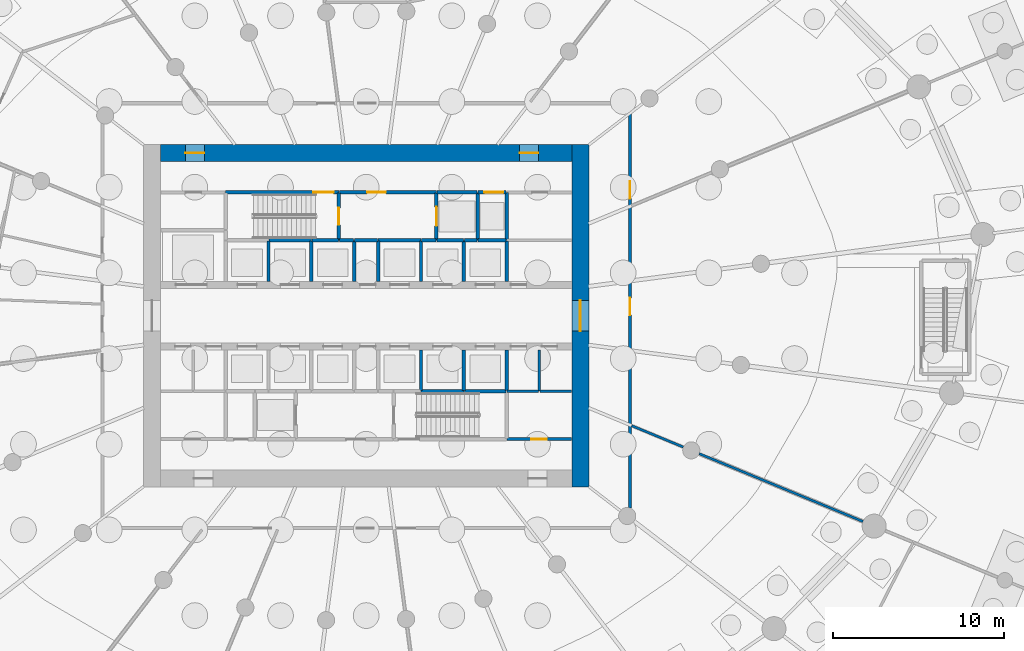
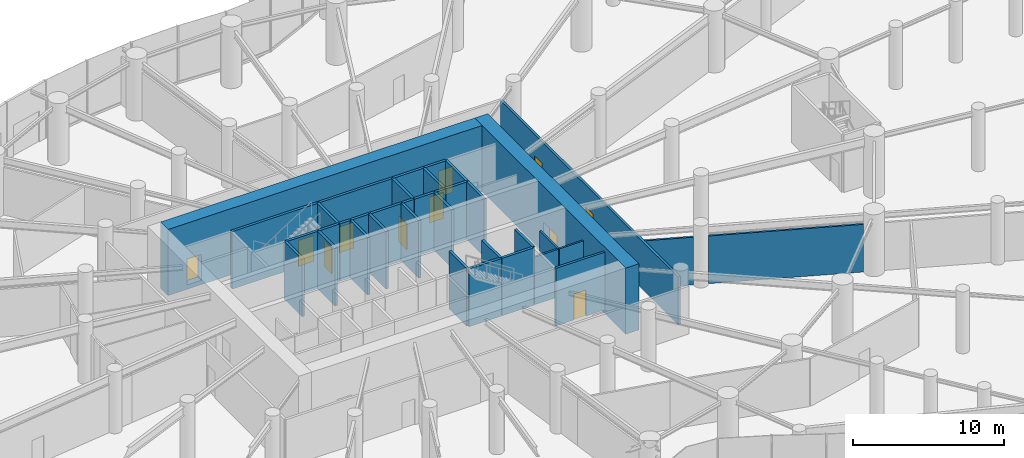
# One storey, part 20 of 28: 38 walls, 11 doors, 11 openings.
"""IFC4 building model written with IfcOpenShell, lengths in metres."""

from ifc_helpers import new_model, si_unit, direction, frame, frame_2d, origin, place, context, subcontext, project, spatial, rectangle, extrude, source, transform, mapped, material, layer, layer_set, type_object, element, fill, save


model = new_model("IFC4")

# Units and contexts
model_context = context("Model", 3, precision=1e-05, world=origin(), true_north=direction((0.0, 1.0)))
body_context = subcontext(model_context, "Body", "Model", "MODEL_VIEW")
ifc_project = project(units=[si_unit("LENGTHUNIT", "METRE"), si_unit("AREAUNIT", "SQUARE_METRE"), si_unit("VOLUMEUNIT", "CUBIC_METRE"), si_unit("PLANEANGLEUNIT", "RADIAN"), si_unit("MASSUNIT", "GRAM", prefix="KILO")], contexts=[model_context])

# Site, building, storey
site_placement = place(None, origin())
site = spatial("IfcSite", under=ifc_project, at=site_placement, CompositionType="ELEMENT")
building_placement = place(site_placement, origin())
building = spatial("IfcBuilding", under=site, at=building_placement, Name="Spindrift Exchange Tower", CompositionType="ELEMENT")
storey_placement = place(building_placement, origin())
storey = spatial("IfcBuildingStorey", under=building, at=storey_placement, Name="L00", CompositionType="ELEMENT", Elevation=0.0)

# Wall, opening, door
ifc_material_1 = material(Name="Concrete 80 MPa", Category="concrete")
ifc_layer_1 = layer(ifc_material_1, 1.0)
ifc_layer_set_1 = layer_set([ifc_layer_1], Name="RC Core Wall 1000 Concrete 80 MPa")
wall_type_1 = type_object("IfcWallType", Name="RC Core Wall 1000 Concrete 80 MPa", PredefinedType="SHEAR", material=ifc_layer_set_1)
wall_1_placement = place(storey_placement, frame((64.5, 38.0, -0.35009765625), z_axis=(0.0, 0.0, 1.0), x_axis=(0.0, 1.0, 0.0)))
wall_1 = element("IfcWall", 1, at=wall_1_placement, inside=storey, type_object=wall_type_1, Name="Core wall E L00", PredefinedType="SHEAR", context=body_context, shape_type="SweptSolid", body=[
    extrude(rectangle(XDim=20.0, YDim=1.0, at=frame_2d((10.0, 0.0))), origin(), (0.0, 0.0, 1.0), 5.35009765625),
])
opening_1_placement = place(wall_1_placement, frame((9.10009765625, 0.0, 0.35009765625)))
opening_1 = element("IfcOpeningElement", 2, at=opening_1_placement, cuts=wall_1, Name="Opening L00-D2", PredefinedType="OPENING", context=body_context, shape_type="SweptSolid", body=[
    extrude(rectangle(XDim=1.800048828125, YDim=2.10009765625, at=frame_2d((0.89990234375, 1.050048828125))), frame((0.0, 0.510009765625, 0.0), z_axis=(0.0, -1.0, 0.0), x_axis=(1.0, 0.0, 0.0)), (0.0, 0.0, 1.0), 1.02001953125),
])
ifc_material_2 = material(Name="Timber-core fire door", Category="wood")
door_type_1 = type_object("IfcDoorType", Name="DR-LOBBY-1800", OperationType="NOTDEFINED", PredefinedType="DOOR", material=ifc_material_2)
shared_shape_1 = source(origin(), body_context, "Body", "SweptSolid", [
    extrude(rectangle(XDim=1.800048828125, YDim=2.10009765625, at=frame_2d((0.89990234375, 1.050048828125))), frame((0.0, 0.02490234375, 0.0), z_axis=(0.0, -1.0, 0.0), x_axis=(1.0, 0.0, 0.0)), (0.0, 0.0, 1.0), 0.050048828125),
])
door_1_placement = place(opening_1_placement, origin())
door_1 = element("IfcDoor", 3, at=door_1_placement, inside=storey, type_object=door_type_1, Name="L00 Lobby door 2", OperationType="SINGLE_SWING_LEFT", OverallHeight=2.10009765625, OverallWidth=1.800048828125, PredefinedType="DOOR", context=body_context, shape_type="MappedRepresentation", body=[
    mapped(shared_shape_1, transform((0.0, 0.0, 0.0), scale=1.0)),
])
fill(opening_1, door_1)

# Wall, openings, doors
wall_2_placement = place(storey_placement, frame((64.0, 57.5, -0.35009765625), z_axis=(0.0, 0.0, 1.0), x_axis=(-1.0, 0.0, 0.0)))
wall_2 = element("IfcWall", 4, at=wall_2_placement, inside=storey, type_object=wall_type_1, Name="Core wall N L00", PredefinedType="SHEAR", context=body_context, shape_type="SweptSolid", body=[
    extrude(rectangle(XDim=24.0, YDim=1.0, at=frame_2d((12.0, 0.0))), origin(), (0.0, 0.0, 1.0), 5.35009765625),
])
opening_2_placement = place(wall_2_placement, frame((21.449951171875, 0.0, 0.35009765625)))
opening_2 = element("IfcOpeningElement", 5, at=opening_2_placement, cuts=wall_2, Name="Opening L00-D26", PredefinedType="OPENING", context=body_context, shape_type="SweptSolid", body=[
    extrude(rectangle(XDim=1.10009765625, YDim=2.10009765625, at=frame_2d((0.550048828125, 1.050048828125))), frame((0.0, 0.510009765625, 0.0), z_axis=(0.0, -1.0, 0.0), x_axis=(1.0, 0.0, 0.0)), (0.0, 0.0, 1.0), 1.02001953125),
])
opening_3_placement = place(wall_2_placement, frame((1.949951171875, 0.0, 0.35009765625)))
opening_3 = element("IfcOpeningElement", 6, at=opening_3_placement, cuts=wall_2, Name="Opening L00-D27", PredefinedType="OPENING", context=body_context, shape_type="SweptSolid", body=[
    extrude(rectangle(XDim=1.10009765625, YDim=2.10009765625, at=frame_2d((0.550048828125, 1.050048828125))), frame((0.0, 0.510009765625, 0.0), z_axis=(0.0, -1.0, 0.0), x_axis=(1.0, 0.0, 0.0)), (0.0, 0.0, 1.0), 1.02001953125),
])
ifc_material_3 = material(Name="Steel fire door", Category="steel")
door_type_2 = type_object("IfcDoorType", Name="DR-STAIR-1100", OperationType="NOTDEFINED", PredefinedType="DOOR", material=ifc_material_3)
shared_shape_2 = source(origin(), body_context, "Body", "SweptSolid", [
    extrude(rectangle(XDim=1.10009765625, YDim=2.10009765625, at=frame_2d((0.550048828125, 1.050048828125))), frame((0.0, 0.02490234375, 0.0), z_axis=(0.0, -1.0, 0.0), x_axis=(1.0, 0.0, 0.0)), (0.0, 0.0, 1.0), 0.050048828125),
])
door_2_placement = place(opening_2_placement, origin())
door_2 = element("IfcDoor", 7, at=door_2_placement, inside=storey, type_object=door_type_2, Name="L00 Stair door 26", OperationType="SINGLE_SWING_LEFT", OverallHeight=2.10009765625, OverallWidth=1.10009765625, PredefinedType="DOOR", context=body_context, shape_type="MappedRepresentation", body=[
    mapped(shared_shape_2, transform((0.0, 0.0, 0.0), scale=1.0)),
])
fill(opening_2, door_2)
door_3_placement = place(opening_3_placement, origin())
door_3 = element("IfcDoor", 8, at=door_3_placement, inside=storey, type_object=door_type_2, Name="L00 Stair door 27", OperationType="SINGLE_SWING_RIGHT", OverallHeight=2.10009765625, OverallWidth=1.10009765625, PredefinedType="DOOR", context=body_context, shape_type="MappedRepresentation", body=[
    mapped(shared_shape_2, transform((0.0, 0.0, 0.0), scale=1.0)),
])
fill(opening_3, door_3)

ifc_material_4 = material(Name="Fire-rated plasterboard partition", Category="gypsum")
ifc_layer_2 = layer(ifc_material_4, 0.179931640625)
ifc_layer_set_2 = layer_set([ifc_layer_2], Name="W-CORR-180")
wall_type_2 = type_object("IfcWallType", Name="W-CORR-180", PredefinedType="PARTITIONING", material=ifc_layer_set_2)
wall_3_placement = place(storey_placement, frame((67.39990234375, 60.3701171875, 0.0), z_axis=(0.0, 0.0, 1.0), x_axis=(0.0, -1.0, 0.0)))
wall_3 = element("IfcWall", 9, at=wall_3_placement, inside=storey, type_object=wall_type_2, Name="L00 Partition wall 63", PredefinedType="PARTITIONING", context=body_context, shape_type="SweptSolid", body=[
    extrude(rectangle(XDim=23.58251953125, YDim=0.179931640625, at=frame_2d((11.791259765625, 0.0))), origin(), (0.0, 0.0, 1.0), 3.85009765625),
])
opening_4_placement = place(wall_3_placement, frame((11.33251953125, 0.0, 0.0)))
opening_4 = element("IfcOpeningElement", 10, at=opening_4_placement, cuts=wall_3, Name="Opening L00-D30", PredefinedType="OPENING", context=body_context, shape_type="SweptSolid", body=[
    extrude(rectangle(XDim=1.0, YDim=2.10009765625, at=frame_2d((0.5, 1.050048828125))), frame((0.0, 0.099853515625, 0.0), z_axis=(0.0, -1.0, 0.0), x_axis=(1.0, 0.0, 0.0)), (0.0, 0.0, 1.0), 0.199951171875),
])
opening_5_placement = place(wall_3_placement, frame((4.532470703125, 0.0, 0.0)))
opening_5 = element("IfcOpeningElement", 11, at=opening_5_placement, cuts=wall_3, Name="Opening L00-D31", PredefinedType="OPENING", context=body_context, shape_type="SweptSolid", body=[
    extrude(rectangle(XDim=1.0, YDim=2.10009765625, at=frame_2d((0.5, 1.050048828125))), frame((0.0, 0.099853515625, 0.0), z_axis=(0.0, -1.0, 0.0), x_axis=(1.0, 0.0, 0.0)), (0.0, 0.0, 1.0), 0.199951171875),
])
door_type_3 = type_object("IfcDoorType", Name="DR-ROOM-1000", OperationType="NOTDEFINED", PredefinedType="DOOR", material=ifc_material_2)
shared_shape_3 = source(origin(), body_context, "Body", "SweptSolid", [
    extrude(rectangle(XDim=1.0, YDim=2.10009765625, at=frame_2d((0.5, 1.050048828125))), frame((0.0, 0.02490234375, 0.0), z_axis=(0.0, -1.0, 0.0), x_axis=(1.0, 0.0, 0.0)), (0.0, 0.0, 1.0), 0.050048828125),
])
door_4_placement = place(opening_4_placement, origin())
door_4 = element("IfcDoor", 12, at=door_4_placement, inside=storey, type_object=door_type_3, Name="L00 Door 30", OperationType="SINGLE_SWING_LEFT", OverallHeight=2.10009765625, OverallWidth=1.0, PredefinedType="DOOR", context=body_context, shape_type="MappedRepresentation", body=[
    mapped(shared_shape_3, transform((0.0, 0.0, 0.0), scale=1.0)),
])
fill(opening_4, door_4)
door_5_placement = place(opening_5_placement, origin())
door_5 = element("IfcDoor", 13, at=door_5_placement, inside=storey, type_object=door_type_3, Name="L00 Door 31", OperationType="SINGLE_SWING_RIGHT", OverallHeight=2.10009765625, OverallWidth=1.0, PredefinedType="DOOR", context=body_context, shape_type="MappedRepresentation", body=[
    mapped(shared_shape_3, transform((0.0, 0.0, 0.0), scale=1.0)),
])
fill(opening_5, door_5)

# Wall, opening, door
wall_4_placement = place(storey_placement, frame((60.22998046875, 40.800048828125, 0.0), z_axis=(0.0, 0.0, 1.0), x_axis=(1.0, 0.0, 0.0)))
wall_4 = element("IfcWall", 14, at=wall_4_placement, inside=storey, type_object=wall_type_2, Name="L00 Partition wall 67", PredefinedType="PARTITIONING", context=body_context, shape_type="SweptSolid", body=[
    extrude(rectangle(XDim=3.75, YDim=0.179931640625, at=frame_2d((1.875, 0.0))), origin(), (0.0, 0.0, 1.0), 4.64990234375),
])
opening_6_placement = place(wall_4_placement, frame((1.39990234375, 0.0, 0.0)))
opening_6 = element("IfcOpeningElement", 15, at=opening_6_placement, cuts=wall_4, Name="Opening L00-D53", PredefinedType="OPENING", context=body_context, shape_type="SweptSolid", body=[
    extrude(rectangle(XDim=0.89990234375, YDim=2.10009765625, at=frame_2d((0.449951171875, 1.050048828125))), frame((0.0, 0.099853515625, 0.0), z_axis=(0.0, -1.0, 0.0), x_axis=(1.0, 0.0, 0.0)), (0.0, 0.0, 1.0), 0.199951171875),
])
ifc_material_5 = material(Name="Steel access door", Category="steel")
door_type_4 = type_object("IfcDoorType", Name="DR-RISER-900", OperationType="NOTDEFINED", PredefinedType="DOOR", material=ifc_material_5)
shared_shape_4 = source(origin(), body_context, "Body", "SweptSolid", [
    extrude(rectangle(XDim=0.89990234375, YDim=2.10009765625, at=frame_2d((0.449951171875, 1.050048828125))), frame((0.0, 0.02490234375, 0.0), z_axis=(0.0, -1.0, 0.0), x_axis=(1.0, 0.0, 0.0)), (0.0, 0.0, 1.0), 0.050048828125),
])
door_6_placement = place(opening_6_placement, origin())
door_6 = element("IfcDoor", 16, at=door_6_placement, inside=storey, type_object=door_type_4, Name="L00 Riser door 53", OperationType="SINGLE_SWING_RIGHT", OverallHeight=2.10009765625, OverallWidth=0.89990234375, PredefinedType="DOOR", context=body_context, shape_type="MappedRepresentation", body=[
    mapped(shared_shape_4, transform((0.0, 0.0, 0.0), scale=1.0)),
])
fill(opening_6, door_6)

# Walls
ifc_layer_3 = layer(ifc_material_4, 0.139892578125)
ifc_layer_set_3 = layer_set([ifc_layer_3], Name="W-PART-140")
wall_type_3 = type_object("IfcWallType", Name="W-PART-140", PredefinedType="PARTITIONING", material=ifc_layer_set_3)
wall_5_placement = place(storey_placement, frame((71.439208984375, 39.947998046875, 0.0), z_axis=(0.0, 0.0, 1.0), x_axis=(0.923874685699, -0.382695133396, 0.0)))
element("IfcWall", 17, at=wall_5_placement, inside=storey, type_object=wall_type_3, Name="L00 Partition wall 71", PredefinedType="PARTITIONING", context=body_context, shape_type="SweptSolid", body=[
    extrude(rectangle(XDim=10.341064453125, YDim=0.139892578125, at=frame_2d((5.17041015625, 0.0))), origin(), (0.0, 0.0, 1.0), 3.85009765625),
])
wall_6_placement = place(storey_placement, frame((67.489990234375, 41.583740234375, 0.0), z_axis=(0.0, 0.0, 1.0), x_axis=(0.923911109142, -0.382607190737, 0.0)))
element("IfcWall", 18, at=wall_6_placement, inside=storey, type_object=wall_type_3, Name="L00 Partition wall 109", PredefinedType="PARTITIONING", context=body_context, shape_type="SweptSolid", body=[
    extrude(rectangle(XDim=3.264404296875, YDim=0.139892578125, at=frame_2d((1.63232421875, 0.0))), origin(), (0.0, 0.0, 1.0), 3.85009765625),
])
wall_7_placement = place(storey_placement, frame((62.10009765625, 43.60009765625, 0.0), z_axis=(0.0, 0.0, 1.0), x_axis=(0.0, 1.0, 0.0)))
element("IfcWall", 19, at=wall_7_placement, inside=storey, type_object=wall_type_3, Name="L00 Partition wall 117", PredefinedType="PARTITIONING", context=body_context, shape_type="SweptSolid", body=[
    extrude(rectangle(XDim=2.389892578125, YDim=0.139892578125, at=frame_2d((1.19482421875, 0.0))), origin(), (0.0, 0.0, 1.0), 3.85009765625),
])
wall_8_placement = place(storey_placement, frame((60.22998046875, 43.60009765625, 0.0), z_axis=(0.0, 0.0, 1.0), x_axis=(1.0, 0.0, 0.0)))
element("IfcWall", 20, at=wall_8_placement, inside=storey, type_object=wall_type_3, Name="L00 Partition wall 120", PredefinedType="PARTITIONING", context=body_context, shape_type="SweptSolid", body=[
    extrude(rectangle(XDim=1.840087890625, YDim=0.139892578125, at=frame_2d((0.919921875, 0.0))), origin(), (0.0, 0.0, 1.0), 3.85009765625),
])
wall_9_placement = place(storey_placement, frame((62.1298828125, 43.60009765625, 0.0), z_axis=(0.0, 0.0, 1.0), x_axis=(1.0, 0.0, 0.0)))
element("IfcWall", 21, at=wall_9_placement, inside=storey, type_object=wall_type_3, Name="L00 Partition wall 122", PredefinedType="PARTITIONING", context=body_context, shape_type="SweptSolid", body=[
    extrude(rectangle(XDim=1.85009765625, YDim=0.139892578125, at=frame_2d((0.925048828125, 0.0))), origin(), (0.0, 0.0, 1.0), 3.85009765625),
])

# Wall, opening, door
ifc_material_6 = material(Name="Concrete 40 MPa", Category="concrete")
ifc_layer_4 = layer(ifc_material_6, 0.199951171875)
ifc_layer_set_4 = layer_set([ifc_layer_4], Name="W-SHAFT-200")
wall_type_4 = type_object("IfcWallType", Name="W-SHAFT-200", PredefinedType="SOLIDWALL", material=ifc_layer_set_4)
wall_10_placement = place(storey_placement, frame((56.10009765625, 55.169921875, 0.0), z_axis=(0.0, 0.0, 1.0), x_axis=(0.0, -1.0, 0.0)))
wall_10 = element("IfcWall", 22, at=wall_10_placement, inside=storey, type_object=wall_type_4, Name="L00 Shaft wall 14", PredefinedType="SOLIDWALL", context=body_context, shape_type="SweptSolid", body=[
    extrude(rectangle(XDim=2.77001953125, YDim=0.199951171875, at=frame_2d((1.385009765625, 0.0))), origin(), (0.0, 0.0, 1.0), 4.64990234375),
])
opening_7_placement = place(wall_10_placement, frame((0.820068359375, 0.0, 0.0)))
opening_7 = element("IfcOpeningElement", 23, at=opening_7_placement, cuts=wall_10, Name="Opening L00-D15", PredefinedType="OPENING", context=body_context, shape_type="SweptSolid", body=[
    extrude(rectangle(XDim=1.10009765625, YDim=2.10009765625, at=frame_2d((0.550048828125, 1.050048828125))), frame((0.0, 0.10986328125, 0.0), z_axis=(0.0, -1.0, 0.0), x_axis=(1.0, 0.0, 0.0)), (0.0, 0.0, 1.0), 0.219970703125),
])
ifc_material_7 = material(Name="Stainless steel landing door", Category="steel")
door_type_5 = type_object("IfcDoorType", Name="DR-LANDING-1100-SL", OperationType="DOUBLE_DOOR_SLIDING", PredefinedType="USERDEFINED", material=ifc_material_7)
shared_shape_5 = source(origin(), body_context, "Body", "SweptSolid", [
    extrude(rectangle(XDim=1.10009765625, YDim=2.10009765625, at=frame_2d((0.550048828125, 1.050048828125))), frame((0.0, 0.02490234375, 0.0), z_axis=(0.0, -1.0, 0.0), x_axis=(1.0, 0.0, 0.0)), (0.0, 0.0, 1.0), 0.050048828125),
])
door_7_placement = place(opening_7_placement, origin())
door_7 = element("IfcDoor", 24, at=door_7_placement, inside=storey, type_object=door_type_5, Name="L00 Lift landing door 15", ObjectType="LANDING DOOR", OperationType="DOUBLE_DOOR_SLIDING", OverallHeight=2.10009765625, OverallWidth=1.10009765625, PredefinedType="USERDEFINED", context=body_context, shape_type="MappedRepresentation", body=[
    mapped(shared_shape_5, transform((0.0, 0.0, 0.0), scale=1.0)),
])
fill(opening_7, door_7)

# Walls
for number, where, z_axis, x_axis, name in (
    (25, (58.5, 52.39990234375, 0.0), (0.0, 0.0, 1.0), (0.0, 1.0, 0.0), "L00 Shaft wall 15"),
    (26, (60.199951171875, 52.39990234375, 0.0), (0.0, 0.0, 1.0), (0.0, 1.0, 0.0), "L00 Shaft wall 16"),
):
    element("IfcWall", number, at=place(storey_placement, frame(where, z_axis=z_axis, x_axis=x_axis)), inside=storey, type_object=wall_type_4, Name=name, PredefinedType="SOLIDWALL", context=body_context, shape_type="SweptSolid", body=[
        extrude(rectangle(XDim=2.800048828125, YDim=0.199951171875, at=frame_2d((1.39990234375, 0.0))), origin(), (0.0, 0.0, 1.0), 4.64990234375),
    ])
wall_11_placement = place(storey_placement, frame((55.199951171875, 52.39990234375, 0.0), z_axis=(0.0, 0.0, 1.0), x_axis=(-1.0, 0.0, 0.0)))
element("IfcWall", 27, at=wall_11_placement, inside=storey, type_object=wall_type_4, Name="L00 Shaft wall 22", PredefinedType="SOLIDWALL", context=body_context, shape_type="SweptSolid", body=[
    extrude(rectangle(XDim=2.5, YDim=0.199951171875, at=frame_2d((1.25, 0.0))), origin(), (0.0, 0.0, 1.0), 4.64990234375),
])
wall_12_placement = place(storey_placement, frame((58.469970703125, 55.199951171875, 0.0), z_axis=(0.0, 0.0, 1.0), x_axis=(-1.0, 0.0, 0.0)))
element("IfcWall", 28, at=wall_12_placement, inside=storey, type_object=wall_type_4, Name="L00 Shaft wall 26", PredefinedType="SOLIDWALL", context=body_context, shape_type="SweptSolid", body=[
    extrude(rectangle(XDim=2.340087890625, YDim=0.199951171875, at=frame_2d((1.169921875, 0.0))), origin(), (0.0, 0.0, 1.0), 4.64990234375),
])
wall_13_placement = place(storey_placement, frame((51.300048828125, 50.010009765625, 0.0), z_axis=(0.0, 0.0, 1.0), x_axis=(0.0, 1.0, 0.0)))
element("IfcWall", 29, at=wall_13_placement, inside=storey, type_object=wall_type_4, Name="L00 Shaft wall 34", PredefinedType="SOLIDWALL", context=body_context, shape_type="SweptSolid", body=[
    extrude(rectangle(XDim=2.389892578125, YDim=0.199951171875, at=frame_2d((1.19482421875, 0.0))), origin(), (0.0, 0.0, 1.0), 4.64990234375),
])
for number, where, z_axis, x_axis, name in (
    (30, (52.699951171875, 52.3701171875, 0.0), (0.0, 0.0, 1.0), (0.0, -1.0, 0.0), "L00 Shaft wall 36"),
    (31, (55.199951171875, 50.010009765625, 0.0), (0.0, 0.0, 1.0), (0.0, 1.0, 0.0), "L00 Shaft wall 38"),
):
    element("IfcWall", number, at=place(storey_placement, frame(where, z_axis=z_axis, x_axis=x_axis)), inside=storey, type_object=wall_type_4, Name=name, PredefinedType="SOLIDWALL", context=body_context, shape_type="SweptSolid", body=[
        extrude(rectangle(XDim=2.360107421875, YDim=0.199951171875, at=frame_2d((1.18017578125, 0.0))), origin(), (0.0, 0.0, 1.0), 4.64990234375),
    ])
wall_14_placement = place(storey_placement, frame((57.699951171875, 50.010009765625, 0.0), z_axis=(0.0, 0.0, 1.0), x_axis=(0.0, 1.0, 0.0)))
element("IfcWall", 32, at=wall_14_placement, inside=storey, type_object=wall_type_4, Name="L00 Shaft wall 40", PredefinedType="SOLIDWALL", context=body_context, shape_type="SweptSolid", body=[
    extrude(rectangle(XDim=2.389892578125, YDim=0.199951171875, at=frame_2d((1.19482421875, 0.0))), origin(), (0.0, 0.0, 1.0), 4.64990234375),
])
wall_15_placement = place(storey_placement, frame((60.199951171875, 50.010009765625, 0.0), z_axis=(0.0, 0.0, 1.0), x_axis=(0.0, 1.0, 0.0)))
element("IfcWall", 33, at=wall_15_placement, inside=storey, type_object=wall_type_4, Name="L00 Shaft wall 42", PredefinedType="SOLIDWALL", context=body_context, shape_type="SweptSolid", body=[
    extrude(rectangle(XDim=2.360107421875, YDim=0.199951171875, at=frame_2d((1.18017578125, 0.0))), origin(), (0.0, 0.0, 1.0), 4.64990234375),
])
wall_16_placement = place(storey_placement, frame((60.169921875, 52.39990234375, 0.0), z_axis=(0.0, 0.0, 1.0), x_axis=(-1.0, 0.0, 0.0)))
element("IfcWall", 34, at=wall_16_placement, inside=storey, type_object=wall_type_4, Name="L00 Shaft wall 46", PredefinedType="SOLIDWALL", context=body_context, shape_type="SweptSolid", body=[
    extrude(rectangle(XDim=1.639892578125, YDim=0.199951171875, at=frame_2d((0.81982421875, 0.0))), origin(), (0.0, 0.0, 1.0), 4.64990234375),
])

# Wall, opening, door
wall_17_placement = place(storey_placement, frame((60.169921875, 55.199951171875, 0.0), z_axis=(0.0, 0.0, 1.0), x_axis=(-1.0, 0.0, 0.0)))
wall_17 = element("IfcWall", 35, at=wall_17_placement, inside=storey, type_object=wall_type_4, Name="L00 Shaft wall 47", PredefinedType="SOLIDWALL", context=body_context, shape_type="SweptSolid", body=[
    extrude(rectangle(XDim=1.639892578125, YDim=0.199951171875, at=frame_2d((0.81982421875, 0.0))), origin(), (0.0, 0.0, 1.0), 4.64990234375),
])
opening_8_placement = place(wall_17_placement, frame((0.169921875, 0.0, 0.0)))
opening_8 = element("IfcOpeningElement", 36, at=opening_8_placement, cuts=wall_17, Name="Opening L00-D17", PredefinedType="OPENING", context=body_context, shape_type="SweptSolid", body=[
    extrude(rectangle(XDim=1.10009765625, YDim=2.10009765625, at=frame_2d((0.550048828125, 1.050048828125))), frame((0.0, 0.10986328125, 0.0), z_axis=(0.0, -1.0, 0.0), x_axis=(1.0, 0.0, 0.0)), (0.0, 0.0, 1.0), 0.219970703125),
])
door_8_placement = place(opening_8_placement, origin())
door_8 = element("IfcDoor", 37, at=door_8_placement, inside=storey, type_object=door_type_5, Name="L00 Lift landing door 17", ObjectType="LANDING DOOR", OperationType="DOUBLE_DOOR_SLIDING", OverallHeight=2.10009765625, OverallWidth=1.10009765625, PredefinedType="USERDEFINED", context=body_context, shape_type="MappedRepresentation", body=[
    mapped(shared_shape_5, transform((0.0, 0.0, 0.0), scale=1.0)),
])
fill(opening_8, door_8)

# Walls
wall_18_placement = place(storey_placement, frame((57.669921875, 52.39990234375, 0.0), z_axis=(0.0, 0.0, 1.0), x_axis=(-1.0, 0.0, 0.0)))
element("IfcWall", 38, at=wall_18_placement, inside=storey, type_object=wall_type_4, Name="L00 Shaft wall 51", PredefinedType="SOLIDWALL", context=body_context, shape_type="SweptSolid", body=[
    extrude(rectangle(XDim=1.5400390625, YDim=0.199951171875, at=frame_2d((0.77001953125, 0.0))), origin(), (0.0, 0.0, 1.0), 4.64990234375),
])
wall_19_placement = place(storey_placement, frame((51.330078125, 52.39990234375, 0.0), z_axis=(0.0, 0.0, 1.0), x_axis=(1.0, 0.0, 0.0)))
element("IfcWall", 39, at=wall_19_placement, inside=storey, type_object=wall_type_4, Name="L00 Shaft wall 53", PredefinedType="SOLIDWALL", context=body_context, shape_type="SweptSolid", body=[
    extrude(rectangle(XDim=1.33984375, YDim=0.199951171875, at=frame_2d((0.669921875, 0.0))), origin(), (0.0, 0.0, 1.0), 4.64990234375),
])
wall_20_placement = place(storey_placement, frame((56.070068359375, 52.39990234375, 0.0), z_axis=(0.0, 0.0, 1.0), x_axis=(-1.0, 0.0, 0.0)))
element("IfcWall", 40, at=wall_20_placement, inside=storey, type_object=wall_type_4, Name="L00 Shaft wall 57", PredefinedType="SOLIDWALL", context=body_context, shape_type="SweptSolid", body=[
    extrude(rectangle(XDim=0.840087890625, YDim=0.199951171875, at=frame_2d((0.419921875, 0.0))), origin(), (0.0, 0.0, 1.0), 4.64990234375),
])
wall_21_placement = place(storey_placement, frame((58.469970703125, 52.39990234375, 0.0), z_axis=(0.0, 0.0, 1.0), x_axis=(-1.0, 0.0, 0.0)))
element("IfcWall", 41, at=wall_21_placement, inside=storey, type_object=wall_type_4, Name="L00 Shaft wall 59", PredefinedType="SOLIDWALL", context=body_context, shape_type="SweptSolid", body=[
    extrude(rectangle(XDim=0.739990234375, YDim=0.199951171875, at=frame_2d((0.3701171875, 0.0))), origin(), (0.0, 0.0, 1.0), 4.64990234375),
])

# Wall, opening, door
ifc_layer_5 = layer(ifc_material_6, 0.199951171875)
ifc_layer_set_5 = layer_set([ifc_layer_5], Name="W-SHAFT-200-LB")
wall_type_5 = type_object("IfcWallType", Name="W-SHAFT-200-LB", PredefinedType="SOLIDWALL", material=ifc_layer_set_5)
wall_22_placement = place(storey_placement, frame((50.39990234375, 55.199951171875, 0.0), z_axis=(0.0, 0.0, 1.0), x_axis=(-1.0, 0.0, 0.0)))
wall_22 = element("IfcWall", 42, at=wall_22_placement, inside=storey, type_object=wall_type_5, Name="L00 Shaft wall 1", PredefinedType="SOLIDWALL", context=body_context, shape_type="SweptSolid", body=[
    extrude(rectangle(XDim=6.599853515625, YDim=0.199951171875, at=frame_2d((3.2998046875, 0.0))), origin(), (0.0, 0.0, 1.0), 4.64990234375),
])
opening_9_placement = place(wall_22_placement, frame((0.300048828125, 0.0, 0.0)))
opening_9 = element("IfcOpeningElement", 43, at=opening_9_placement, cuts=wall_22, Name="Opening L00-D19", PredefinedType="OPENING", context=body_context, shape_type="SweptSolid", body=[
    extrude(rectangle(XDim=1.199951171875, YDim=2.10009765625, at=frame_2d((0.60009765625, 1.050048828125))), frame((0.0, 0.10986328125, 0.0), z_axis=(0.0, -1.0, 0.0), x_axis=(1.0, 0.0, 0.0)), (0.0, 0.0, 1.0), 0.219970703125),
])
door_type_6 = type_object("IfcDoorType", Name="DR-STAIR-1200", OperationType="NOTDEFINED", PredefinedType="DOOR", material=ifc_material_3)
shared_shape_6 = source(origin(), body_context, "Body", "SweptSolid", [
    extrude(rectangle(XDim=1.199951171875, YDim=2.10009765625, at=frame_2d((0.60009765625, 1.050048828125))), frame((0.0, 0.02490234375, 0.0), z_axis=(0.0, -1.0, 0.0), x_axis=(1.0, 0.0, 0.0)), (0.0, 0.0, 1.0), 0.050048828125),
])
door_9_placement = place(opening_9_placement, origin())
door_9 = element("IfcDoor", 44, at=door_9_placement, inside=storey, type_object=door_type_6, Name="L00 Stair door 19", OperationType="SINGLE_SWING_RIGHT", OverallHeight=2.10009765625, OverallWidth=1.199951171875, PredefinedType="DOOR", context=body_context, shape_type="MappedRepresentation", body=[
    mapped(shared_shape_6, transform((0.0, 0.0, 0.0), scale=1.0)),
])
fill(opening_9, door_9)

wall_23_placement = place(storey_placement, frame((56.10009765625, 55.199951171875, 0.0), z_axis=(0.0, 0.0, 1.0), x_axis=(-1.0, 0.0, 0.0)))
wall_23 = element("IfcWall", 45, at=wall_23_placement, inside=storey, type_object=wall_type_5, Name="L00 Shaft wall 6", PredefinedType="SOLIDWALL", context=body_context, shape_type="SweptSolid", body=[
    extrude(rectangle(XDim=5.670166015625, YDim=0.199951171875, at=frame_2d((2.8349609375, 0.0))), origin(), (0.0, 0.0, 1.0), 4.64990234375),
])
opening_10_placement = place(wall_23_placement, frame((2.949951171875, 0.0, 0.0)))
opening_10 = element("IfcOpeningElement", 46, at=opening_10_placement, cuts=wall_23, Name="Opening L00-D21", PredefinedType="OPENING", context=body_context, shape_type="SweptSolid", body=[
    extrude(rectangle(XDim=1.10009765625, YDim=2.10009765625, at=frame_2d((0.550048828125, 1.050048828125))), frame((0.0, 0.10986328125, 0.0), z_axis=(0.0, -1.0, 0.0), x_axis=(1.0, 0.0, 0.0)), (0.0, 0.0, 1.0), 0.219970703125),
])
door_type_7 = type_object("IfcDoorType", Name="DR-LOBBY-1100", OperationType="NOTDEFINED", PredefinedType="DOOR", material=ifc_material_2)
shared_shape_7 = source(origin(), body_context, "Body", "SweptSolid", [
    extrude(rectangle(XDim=1.10009765625, YDim=2.10009765625, at=frame_2d((0.550048828125, 1.050048828125))), frame((0.0, 0.02490234375, 0.0), z_axis=(0.0, -1.0, 0.0), x_axis=(1.0, 0.0, 0.0)), (0.0, 0.0, 1.0), 0.050048828125),
])
door_10_placement = place(opening_10_placement, origin())
door_10 = element("IfcDoor", 47, at=door_10_placement, inside=storey, type_object=door_type_7, Name="L00 Lobby door 21", OperationType="SINGLE_SWING_RIGHT", OverallHeight=2.10009765625, OverallWidth=1.10009765625, PredefinedType="DOOR", context=body_context, shape_type="MappedRepresentation", body=[
    mapped(shared_shape_7, transform((0.0, 0.0, 0.0), scale=1.0)),
])
fill(opening_10, door_10)

wall_24_placement = place(storey_placement, frame((50.39990234375, 52.39990234375, 0.0), z_axis=(0.0, 0.0, 1.0), x_axis=(0.0, 1.0, 0.0)))
wall_24 = element("IfcWall", 48, at=wall_24_placement, inside=storey, type_object=wall_type_5, Name="L00 Shaft wall 11", PredefinedType="SOLIDWALL", context=body_context, shape_type="SweptSolid", body=[
    extrude(rectangle(XDim=2.77001953125, YDim=0.199951171875, at=frame_2d((1.385009765625, 0.0))), origin(), (0.0, 0.0, 1.0), 4.64990234375),
])
opening_11_placement = place(wall_24_placement, frame((0.89990234375, 0.0, 0.0)))
opening_11 = element("IfcOpeningElement", 49, at=opening_11_placement, cuts=wall_24, Name="Opening L00-D20", PredefinedType="OPENING", context=body_context, shape_type="SweptSolid", body=[
    extrude(rectangle(XDim=1.0, YDim=2.10009765625, at=frame_2d((0.5, 1.050048828125))), frame((0.0, 0.10986328125, 0.0), z_axis=(0.0, -1.0, 0.0), x_axis=(1.0, 0.0, 0.0)), (0.0, 0.0, 1.0), 0.219970703125),
])
door_type_8 = type_object("IfcDoorType", Name="DR-STAIR-1000", OperationType="NOTDEFINED", PredefinedType="DOOR", material=ifc_material_3)
shared_shape_8 = source(origin(), body_context, "Body", "SweptSolid", [
    extrude(rectangle(XDim=1.0, YDim=2.10009765625, at=frame_2d((0.5, 1.050048828125))), frame((0.0, 0.02490234375, 0.0), z_axis=(0.0, -1.0, 0.0), x_axis=(1.0, 0.0, 0.0)), (0.0, 0.0, 1.0), 0.050048828125),
])
door_11_placement = place(opening_11_placement, origin())
door_11 = element("IfcDoor", 50, at=door_11_placement, inside=storey, type_object=door_type_8, Name="L00 Stair door 20", OperationType="SINGLE_SWING_LEFT", OverallHeight=2.10009765625, OverallWidth=1.0, PredefinedType="DOOR", context=body_context, shape_type="MappedRepresentation", body=[
    mapped(shared_shape_8, transform((0.0, 0.0, 0.0), scale=1.0)),
])
fill(opening_11, door_11)

# Walls
wall_25_placement = place(storey_placement, frame((48.800048828125, 52.39990234375, 0.0), z_axis=(0.0, 0.0, 1.0), x_axis=(-1.0, 0.0, 0.0)))
element("IfcWall", 51, at=wall_25_placement, inside=storey, type_object=wall_type_5, Name="L00 Shaft wall 20", PredefinedType="SOLIDWALL", context=body_context, shape_type="SweptSolid", body=[
    extrude(rectangle(XDim=2.469970703125, YDim=0.199951171875, at=frame_2d((1.23486328125, 0.0))), origin(), (0.0, 0.0, 1.0), 4.64990234375),
])
wall_26_placement = place(storey_placement, frame((55.199951171875, 43.60009765625, 0.0), z_axis=(0.0, 0.0, 1.0), x_axis=(1.0, 0.0, 0.0)))
element("IfcWall", 52, at=wall_26_placement, inside=storey, type_object=wall_type_5, Name="L00 Shaft wall 23", PredefinedType="SOLIDWALL", context=body_context, shape_type="SweptSolid", body=[
    extrude(rectangle(XDim=2.5, YDim=0.199951171875, at=frame_2d((1.25, 0.0))), origin(), (0.0, 0.0, 1.0), 4.64990234375),
])
wall_27_placement = place(storey_placement, frame((57.72998046875, 43.60009765625, 0.0), z_axis=(0.0, 0.0, 1.0), x_axis=(1.0, 0.0, 0.0)))
element("IfcWall", 53, at=wall_27_placement, inside=storey, type_object=wall_type_5, Name="L00 Shaft wall 24", PredefinedType="SOLIDWALL", context=body_context, shape_type="SweptSolid", body=[
    extrude(rectangle(XDim=2.43994140625, YDim=0.199951171875, at=frame_2d((1.219970703125, 0.0))), origin(), (0.0, 0.0, 1.0), 4.64990234375),
])
for number, where, z_axis, x_axis, name in (
    (54, (46.300048828125, 50.010009765625, 0.0), (0.0, 0.0, 1.0), (0.0, 1.0, 0.0), "L00 Shaft wall 30"),
    (55, (48.800048828125, 50.010009765625, 0.0), (0.0, 0.0, 1.0), (0.0, 1.0, 0.0), "L00 Shaft wall 32"),
    (56, (55.199951171875, 43.6298828125, 0.0), (0.0, 0.0, 1.0), (0.0, 1.0, 0.0), "L00 Shaft wall 37"),
    (57, (57.699951171875, 43.6298828125, 0.0), (0.0, 0.0, 1.0), (0.0, 1.0, 0.0), "L00 Shaft wall 39"),
    (58, (60.199951171875, 43.6298828125, 0.0), (0.0, 0.0, 1.0), (0.0, 1.0, 0.0), "L00 Shaft wall 41"),
):
    element("IfcWall", number, at=place(storey_placement, frame(where, z_axis=z_axis, x_axis=x_axis)), inside=storey, type_object=wall_type_5, Name=name, PredefinedType="SOLIDWALL", context=body_context, shape_type="SweptSolid", body=[
        extrude(rectangle(XDim=2.360107421875, YDim=0.199951171875, at=frame_2d((1.18017578125, 0.0))), origin(), (0.0, 0.0, 1.0), 4.64990234375),
    ])
wall_28_placement = place(storey_placement, frame((50.3701171875, 52.39990234375, 0.0), z_axis=(0.0, 0.0, 1.0), x_axis=(-1.0, 0.0, 0.0)))
element("IfcWall", 59, at=wall_28_placement, inside=storey, type_object=wall_type_5, Name="L00 Shaft wall 49", PredefinedType="SOLIDWALL", context=body_context, shape_type="SweptSolid", body=[
    extrude(rectangle(XDim=1.5400390625, YDim=0.199951171875, at=frame_2d((0.77001953125, 0.0))), origin(), (0.0, 0.0, 1.0), 4.64990234375),
])
wall_29_placement = place(storey_placement, frame((51.27001953125, 52.39990234375, 0.0), z_axis=(0.0, 0.0, 1.0), x_axis=(-1.0, 0.0, 0.0)))
element("IfcWall", 60, at=wall_29_placement, inside=storey, type_object=wall_type_5, Name="L00 Shaft wall 55", PredefinedType="SOLIDWALL", context=body_context, shape_type="SweptSolid", body=[
    extrude(rectangle(XDim=0.840087890625, YDim=0.199951171875, at=frame_2d((0.419921875, 0.0))), origin(), (0.0, 0.0, 1.0), 4.64990234375),
])

save(model, "model.ifc")
